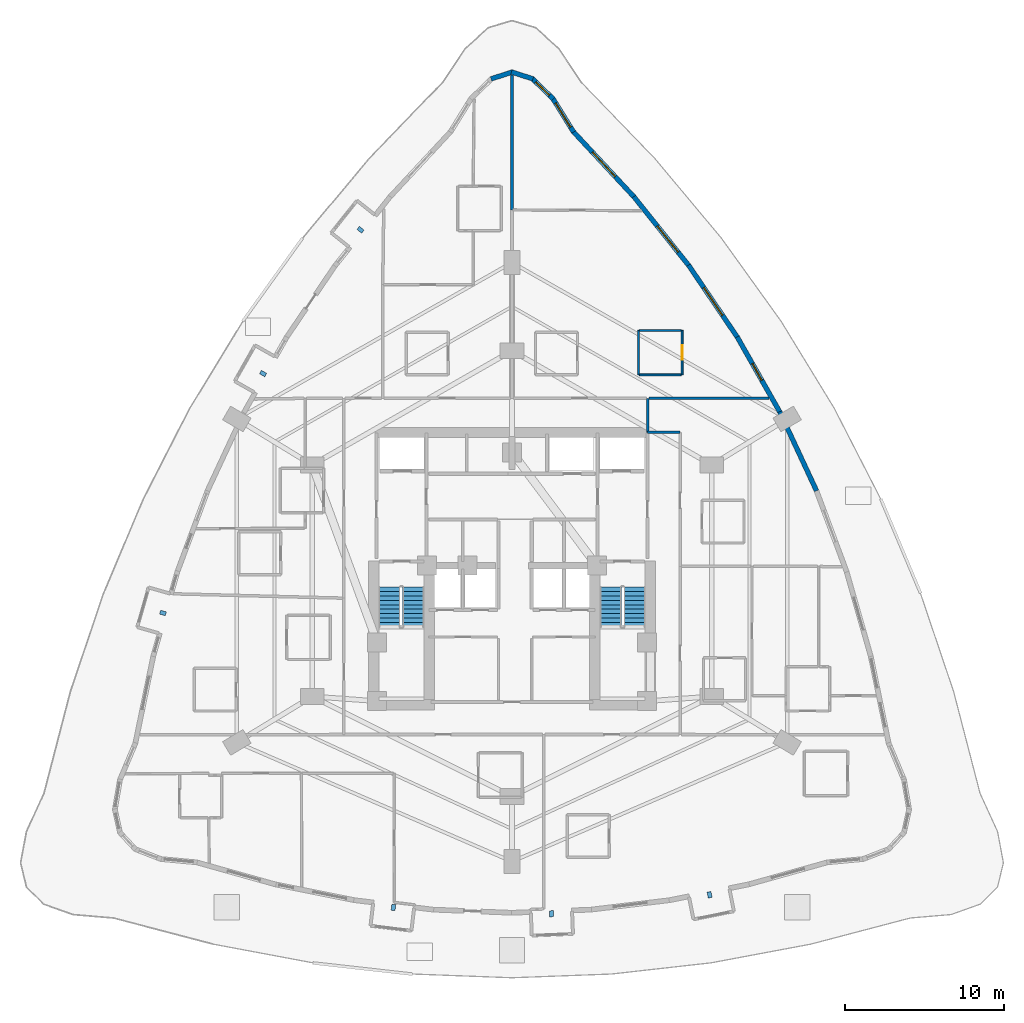
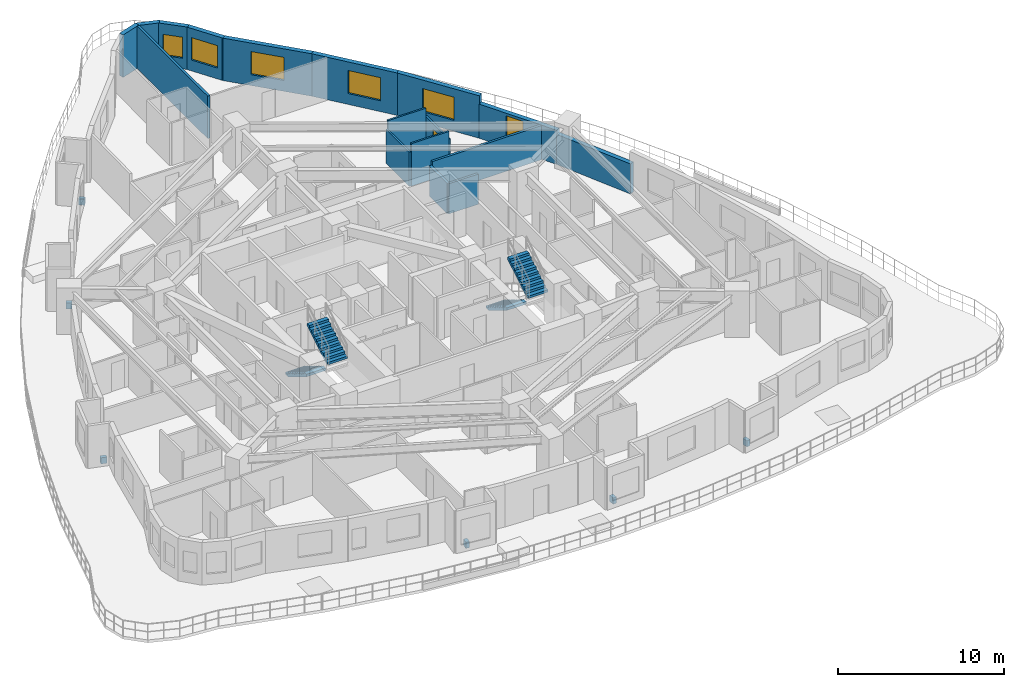
# One storey, part 14 of 17: 17 walls, 6 discrete accessories, 6 windows, 4 stair flights, 1 door, 7 openings, 2 elements without a shape of their own.
"""IFC4 building model written with IfcOpenShell, lengths in metres."""

from ifc_helpers import new_model, si_unit, direction, frame, frame_2d, origin, origin_2d, place, context, subcontext, project, spatial, polyline, rectangle, outline, extrude, material, layer, layer_set, type_object, element, fill, aggregate, save


model = new_model("IFC4")

# Units and contexts
model_context = context("Model", 3, precision=1e-05, world=origin(), true_north=direction((0.0, 1.0)))
body_context = subcontext(model_context, "Body", "Model", "MODEL_VIEW")
ifc_project = project(units=[si_unit("LENGTHUNIT", "METRE"), si_unit("AREAUNIT", "SQUARE_METRE"), si_unit("VOLUMEUNIT", "CUBIC_METRE"), si_unit("PLANEANGLEUNIT", "RADIAN"), si_unit("MASSUNIT", "GRAM", prefix="KILO")], contexts=[model_context])

# Site, building, storey
site_placement = place(None, origin())
site = spatial("IfcSite", under=ifc_project, at=site_placement, CompositionType="ELEMENT")
building_placement = place(site_placement, origin())
building = spatial("IfcBuilding", under=site, at=building_placement, Name="Miruveldt Soraemaru", CompositionType="ELEMENT")
storey_placement = place(building_placement, frame((0.0, 0.0, 29.199951171875)))
storey = spatial("IfcBuildingStorey", under=building, at=storey_placement, Name="L07", CompositionType="ELEMENT", Elevation=29.199951171875)

# Wall, opening, window
ifc_material_1 = material(Name="Precast concrete C45/55 (45 MPa)", Category="concrete")
ifc_layer_1 = layer(ifc_material_1, 0.300048828125, Name="Precast concrete C45/55 (45 MPa)", Category="concrete")
ifc_layer_set_1 = layer_set([ifc_layer_1], Name="Precast concrete C45/55 (45 MPa)")
wall_type_1 = type_object("IfcWallType", Name="WALL-EXT-PC300", PredefinedType="SOLIDWALL", material=ifc_layer_set_1)
wall_1_placement = place(storey_placement, frame((47.8857421875, 71.392578125, 0.0), z_axis=(0.0, 0.0, 1.0), x_axis=(-0.526057803578, 0.850448815212, 0.0)))
wall_1 = element("IfcWall", 1, at=wall_1_placement, inside=storey, type_object=wall_type_1, Name="L07 Precast Concrete Facade Wall 1", PredefinedType="SOLIDWALL", context=body_context, shape_type="SweptSolid", body=[
    extrude(rectangle(XDim=2.5205078125, YDim=0.300048828125, at=frame_2d((1.26025390625, 0.0))), origin(), (0.0, 0.0, 1.0), 3.125),
])
opening_1_placement = place(wall_1_placement, frame((0.360107421875, 0.0, 0.800048828125)))
opening_1 = element("IfcOpeningElement", 2, at=opening_1_placement, cuts=wall_1, Name="Opening WN-2", PredefinedType="OPENING", context=body_context, shape_type="SweptSolid", body=[
    extrude(rectangle(XDim=1.800048828125, YDim=1.64990234375, at=frame_2d((0.89990234375, 0.824951171875))), frame((0.0, 0.16015625, 0.0), z_axis=(0.0, -1.0, 0.0), x_axis=(1.0, 0.0, 0.0)), (0.0, 0.0, 1.0), 0.320068359375),
])
ifc_material_2 = material(Name="Triple low-e insulated glazing", Category="glass")
window_type_1 = type_object("IfcWindowType", Name="WIN-PUNCH-1800x1650", PartitioningType="SINGLE_PANEL", PredefinedType="WINDOW", material=ifc_material_2)
window_1_placement = place(opening_1_placement, origin())
window_1 = element("IfcWindow", 3, at=window_1_placement, inside=storey, type_object=window_type_1, Name="L07 Punched Triple-Glazed Window 01.1", OverallHeight=1.64990234375, OverallWidth=1.800048828125, PartitioningType="SINGLE_PANEL", PredefinedType="WINDOW", context=body_context, shape_type="SweptSolid", body=[
    extrude(rectangle(XDim=1.800048828125, YDim=1.64990234375, at=frame_2d((0.89990234375, 0.824951171875))), frame((0.0, 0.030029296875, 0.0), z_axis=(0.0, -1.0, 0.0), x_axis=(1.0, 0.0, 0.0)), (0.0, 0.0, 1.0), 0.06005859375),
])
fill(opening_1, window_1)

wall_2_placement = place(storey_placement, frame((46.603271484375, 73.48193359375, 0.0), z_axis=(0.0, 0.0, 1.0), x_axis=(-0.717753754605, 0.696297025521, 0.0)))
wall_2 = element("IfcWall", 4, at=wall_2_placement, inside=storey, type_object=wall_type_1, Name="L07 Precast Concrete Facade Wall 2", PredefinedType="SOLIDWALL", context=body_context, shape_type="SweptSolid", body=[
    extrude(rectangle(XDim=1.865966796875, YDim=0.300048828125, at=frame_2d((0.93310546875, 0.0))), origin(), (0.0, 0.0, 1.0), 3.125),
])
opening_2_placement = place(wall_2_placement, frame((0.3330078125, 0.0, 0.780029296875)))
opening_2 = element("IfcOpeningElement", 5, at=opening_2_placement, cuts=wall_2, Name="Opening WN-4", PredefinedType="OPENING", context=body_context, shape_type="SweptSolid", body=[
    extrude(rectangle(XDim=1.199951171875, YDim=1.550048828125, at=frame_2d((0.60009765625, 0.77490234375))), frame((0.0, 0.16015625, 0.0), z_axis=(0.0, -1.0, 0.0), x_axis=(1.0, 0.0, 0.0)), (0.0, 0.0, 1.0), 0.320068359375),
])
window_type_2 = type_object("IfcWindowType", Name="WIN-PUNCH-1200x1550", PartitioningType="SINGLE_PANEL", PredefinedType="WINDOW", material=ifc_material_2)
window_2_placement = place(opening_2_placement, origin())
window_2 = element("IfcWindow", 6, at=window_2_placement, inside=storey, type_object=window_type_2, Name="L07 Punched Triple-Glazed Window 02.1", OverallHeight=1.550048828125, OverallWidth=1.199951171875, PartitioningType="SINGLE_PANEL", PredefinedType="WINDOW", context=body_context, shape_type="SweptSolid", body=[
    extrude(rectangle(XDim=1.199951171875, YDim=1.550048828125, at=frame_2d((0.60009765625, 0.77490234375))), frame((0.0, 0.030029296875, 0.0), z_axis=(0.0, -1.0, 0.0), x_axis=(1.0, 0.0, 0.0)), (0.0, 0.0, 1.0), 0.06005859375),
])
fill(opening_2, window_2)

# Walls
for number, where, z_axis, x_axis, name in (
    (7, (45.322509765625, 74.74609375, 0.0), (0.0, 0.0, 1.0), (-0.951522717075, 0.307578475986, 0.0), "L07 Precast Concrete Facade Wall 3"),
    (8, (44.033203125, 75.184326171875, 0.0), (0.0, 0.0, 1.0), (-0.951522717075, -0.307578475986, 0.0), "L07 Precast Concrete Facade Wall 4"),
):
    element("IfcWall", number, at=place(storey_placement, frame(where, z_axis=z_axis, x_axis=x_axis)), inside=storey, type_object=wall_type_1, Name=name, PredefinedType="SOLIDWALL", context=body_context, shape_type="SweptSolid", body=[
        extrude(rectangle(XDim=1.4248046875, YDim=0.300048828125, at=frame_2d((0.71240234375, 0.0))), origin(), (0.0, 0.0, 1.0), 3.125),
    ])
wall_3_placement = place(storey_placement, frame((63.206298828125, 48.768310546875, 0.0), z_axis=(0.0, 0.0, 1.0), x_axis=(-0.422309467153, 0.906451716284, 0.0)))
element("IfcWall", 9, at=wall_3_placement, inside=storey, type_object=wall_type_1, Name="L07 Precast Concrete Facade Wall 38", PredefinedType="SOLIDWALL", context=body_context, shape_type="SweptSolid", body=[
    extrude(rectangle(XDim=5.500244140625, YDim=0.300048828125, at=frame_2d((2.75, 0.0))), origin(), (0.0, 0.0, 1.0), 2.213134765625),
])

# Wall, opening, window
wall_4_placement = place(storey_placement, frame((60.915771484375, 53.69189453125, 0.0), z_axis=(0.0, 0.0, 1.0), x_axis=(-0.493368677129, 0.869820296629, 0.0)))
wall_4 = element("IfcWall", 10, at=wall_4_placement, inside=storey, type_object=wall_type_1, Name="L07 Precast Concrete Facade Wall 39", PredefinedType="SOLIDWALL", context=body_context, shape_type="SweptSolid", body=[
    extrude(rectangle(XDim=5.500244140625, YDim=0.300048828125, at=frame_2d((2.75, 0.0))), origin(), (0.0, 0.0, 1.0), 2.512939453125),
])
opening_3_placement = place(wall_4_placement, frame((2.35595703125, 0.0, 0.780029296875)))
opening_3 = element("IfcOpeningElement", 11, at=opening_3_placement, cuts=wall_4, Name="Opening WN-4", PredefinedType="OPENING", context=body_context, shape_type="SweptSolid", body=[
    extrude(rectangle(XDim=1.199951171875, YDim=1.550048828125, at=frame_2d((0.60009765625, 0.77490234375))), frame((0.0, 0.16015625, 0.0), z_axis=(0.0, -1.0, 0.0), x_axis=(1.0, 0.0, 0.0)), (0.0, 0.0, 1.0), 0.320068359375),
])
window_3_placement = place(opening_3_placement, origin())
window_3 = element("IfcWindow", 12, at=window_3_placement, inside=storey, type_object=window_type_2, Name="L07 Punched Triple-Glazed Window 39.1", OverallHeight=1.550048828125, OverallWidth=1.199951171875, PartitioningType="SINGLE_PANEL", PredefinedType="WINDOW", context=body_context, shape_type="SweptSolid", body=[
    extrude(rectangle(XDim=1.199951171875, YDim=1.550048828125, at=frame_2d((0.60009765625, 0.77490234375))), frame((0.0, 0.030029296875, 0.0), z_axis=(0.0, -1.0, 0.0), x_axis=(1.0, 0.0, 0.0)), (0.0, 0.0, 1.0), 0.06005859375),
])
fill(opening_3, window_3)

wall_5_placement = place(storey_placement, frame((58.239013671875, 58.416748046875, 0.0), z_axis=(0.0, 0.0, 1.0), x_axis=(-0.560813032948, 0.827942475101, 0.0)))
wall_5 = element("IfcWall", 13, at=wall_5_placement, inside=storey, type_object=wall_type_1, Name="L07 Precast Concrete Facade Wall 40", PredefinedType="SOLIDWALL", context=body_context, shape_type="SweptSolid", body=[
    extrude(rectangle(XDim=5.534912109375, YDim=0.300048828125, at=frame_2d((2.767578125, 0.0))), origin(), (0.0, 0.0, 1.0), 3.125),
])
opening_4_placement = place(wall_5_placement, frame((1.718017578125, 0.0, 0.800048828125)))
opening_4 = element("IfcOpeningElement", 14, at=opening_4_placement, cuts=wall_5, Name="Opening WN-1", PredefinedType="OPENING", context=body_context, shape_type="SweptSolid", body=[
    extrude(rectangle(XDim=2.10009765625, YDim=1.699951171875, at=frame_2d((1.050048828125, 0.85009765625))), frame((0.0, 0.16015625, 0.0), z_axis=(0.0, -1.0, 0.0), x_axis=(1.0, 0.0, 0.0)), (0.0, 0.0, 1.0), 0.320068359375),
])
window_type_3 = type_object("IfcWindowType", Name="WIN-PUNCH-2100x1700", PartitioningType="SINGLE_PANEL", PredefinedType="WINDOW", material=ifc_material_2)
window_4_placement = place(opening_4_placement, origin())
window_4 = element("IfcWindow", 15, at=window_4_placement, inside=storey, type_object=window_type_3, Name="L07 Punched Triple-Glazed Window 40.1", OverallHeight=1.699951171875, OverallWidth=2.10009765625, PartitioningType="SINGLE_PANEL", PredefinedType="WINDOW", context=body_context, shape_type="SweptSolid", body=[
    extrude(rectangle(XDim=2.10009765625, YDim=1.699951171875, at=frame_2d((1.050048828125, 0.85009765625))), frame((0.0, 0.030029296875, 0.0), z_axis=(0.0, -1.0, 0.0), x_axis=(1.0, 0.0, 0.0)), (0.0, 0.0, 1.0), 0.06005859375),
])
fill(opening_4, window_4)

wall_6_placement = place(storey_placement, frame((55.17626953125, 62.94287109375, 0.0), z_axis=(0.0, 0.0, 1.0), x_axis=(-0.623615831151, 0.781730960841, 0.0)))
wall_6 = element("IfcWall", 16, at=wall_6_placement, inside=storey, type_object=wall_type_1, Name="L07 Precast Concrete Facade Wall 41", PredefinedType="SOLIDWALL", context=body_context, shape_type="SweptSolid", body=[
    extrude(rectangle(XDim=5.603515625, YDim=0.300048828125, at=frame_2d((2.8017578125, 0.0))), origin(), (0.0, 0.0, 1.0), 3.125),
])
opening_5_placement = place(wall_6_placement, frame((1.126953125, 0.0, 0.800048828125)))
opening_5 = element("IfcOpeningElement", 17, at=opening_5_placement, cuts=wall_6, Name="Opening WN-1", PredefinedType="OPENING", context=body_context, shape_type="SweptSolid", body=[
    extrude(rectangle(XDim=2.10009765625, YDim=1.699951171875, at=frame_2d((1.050048828125, 0.85009765625))), frame((0.0, 0.16015625, 0.0), z_axis=(0.0, -1.0, 0.0), x_axis=(1.0, 0.0, 0.0)), (0.0, 0.0, 1.0), 0.320068359375),
])
window_5_placement = place(opening_5_placement, origin())
window_5 = element("IfcWindow", 18, at=window_5_placement, inside=storey, type_object=window_type_3, Name="L07 Punched Triple-Glazed Window 41.1", OverallHeight=1.699951171875, OverallWidth=2.10009765625, PartitioningType="SINGLE_PANEL", PredefinedType="WINDOW", context=body_context, shape_type="SweptSolid", body=[
    extrude(rectangle(XDim=2.10009765625, YDim=1.699951171875, at=frame_2d((1.050048828125, 0.85009765625))), frame((0.0, 0.030029296875, 0.0), z_axis=(0.0, -1.0, 0.0), x_axis=(1.0, 0.0, 0.0)), (0.0, 0.0, 1.0), 0.06005859375),
])
fill(opening_5, window_5)

wall_7_placement = place(storey_placement, frame((51.7275390625, 67.270263671875, 0.0), z_axis=(0.0, 0.0, 1.0), x_axis=(-0.680894211577, 0.732381780659, 0.0)))
wall_7 = element("IfcWall", 19, at=wall_7_placement, inside=storey, type_object=wall_type_1, Name="L07 Precast Concrete Facade Wall 42", PredefinedType="SOLIDWALL", context=body_context, shape_type="SweptSolid", body=[
    extrude(rectangle(XDim=5.704345703125, YDim=0.300048828125, at=frame_2d((2.85205078125, 0.0))), origin(), (0.0, 0.0, 1.0), 3.125),
])
opening_6_placement = place(wall_7_placement, frame((1.802001953125, 0.0, 0.800048828125)))
opening_6 = element("IfcOpeningElement", 20, at=opening_6_placement, cuts=wall_7, Name="Opening WN-1", PredefinedType="OPENING", context=body_context, shape_type="SweptSolid", body=[
    extrude(rectangle(XDim=2.10009765625, YDim=1.699951171875, at=frame_2d((1.050048828125, 0.85009765625))), frame((0.0, 0.16015625, 0.0), z_axis=(0.0, -1.0, 0.0), x_axis=(1.0, 0.0, 0.0)), (0.0, 0.0, 1.0), 0.320068359375),
])
window_6_placement = place(opening_6_placement, origin())
window_6 = element("IfcWindow", 21, at=window_6_placement, inside=storey, type_object=window_type_3, Name="L07 Punched Triple-Glazed Window 42.1", OverallHeight=1.699951171875, OverallWidth=2.10009765625, PartitioningType="SINGLE_PANEL", PredefinedType="WINDOW", context=body_context, shape_type="SweptSolid", body=[
    extrude(rectangle(XDim=2.10009765625, YDim=1.699951171875, at=frame_2d((1.050048828125, 0.85009765625))), frame((0.0, 0.030029296875, 0.0), z_axis=(0.0, -1.0, 0.0), x_axis=(1.0, 0.0, 0.0)), (0.0, 0.0, 1.0), 0.06005859375),
])
fill(opening_6, window_6)

# Wall, opening, door
ifc_material_3 = material(Name="Gypsum plasterboard lining", Category="gypsum")
ifc_layer_2 = layer(ifc_material_3, 0.1201171875, Name="Gypsum plasterboard lining", Category="gypsum")
ifc_layer_set_2 = layer_set([ifc_layer_2], Name="Gypsum plasterboard lining")
wall_type_2 = type_object("IfcWallType", Name="WALL-INT-P120", PredefinedType="PARTITIONING", material=ifc_layer_set_2)
wall_8_placement = place(storey_placement, frame((54.72998046875, 56.080078125, 0.0), z_axis=(0.0, 0.0, 1.0), x_axis=(0.0, 1.0, 0.0)))
wall_8 = element("IfcWall", 22, at=wall_8_placement, inside=storey, type_object=wall_type_2, Name="L07 Partition Wall 35", PredefinedType="PARTITIONING", context=body_context, shape_type="SweptSolid", body=[
    extrude(rectangle(XDim=2.7998046875, YDim=0.1201171875, at=frame_2d((1.39990234375, 0.0))), origin(), (0.0, 0.0, 1.0), 2.512939453125),
])
opening_7_placement = place(wall_8_placement, frame((0.93994140625, 0.0, 0.0)))
opening_7 = element("IfcOpeningElement", 23, at=opening_7_placement, cuts=wall_8, Name="Opening D3A", PredefinedType="OPENING", context=body_context, shape_type="SweptSolid", body=[
    extrude(rectangle(XDim=0.919921875, YDim=2.10009765625, at=frame_2d((0.4599609375, 1.050048828125))), frame((0.0, 0.070068359375, 0.0), z_axis=(0.0, -1.0, 0.0), x_axis=(1.0, 0.0, 0.0)), (0.0, 0.0, 1.0), 0.14013671875),
])
ifc_material_4 = material(Name="Anodised aluminium EN AW-6063 T6", Category="aluminium")
door_type = type_object("IfcDoorType", Name="DOOR-INT-920", OperationType="NOTDEFINED", PredefinedType="DOOR", material=ifc_material_4)
door_placement = place(opening_7_placement, origin())
door = element("IfcDoor", 24, at=door_placement, inside=storey, type_object=door_type, Name="L07 Unit CL03 KIT Door", OperationType="SINGLE_SWING_RIGHT", OverallHeight=2.10009765625, OverallWidth=0.919921875, PredefinedType="DOOR", context=body_context, shape_type="SweptSolid", body=[
    extrude(rectangle(XDim=0.919921875, YDim=2.10009765625, at=frame_2d((0.4599609375, 1.050048828125))), frame((0.0, 0.02490234375, 0.0), z_axis=(0.0, -1.0, 0.0), x_axis=(1.0, 0.0, 0.0)), (0.0, 0.0, 1.0), 0.050048828125),
])
fill(opening_7, door)

# Walls
wall_9_placement = place(storey_placement, frame((51.97998046875, 58.8798828125, 0.0), z_axis=(0.0, 0.0, 1.0), x_axis=(0.0, -1.0, 0.0)))
element("IfcWall", 25, at=wall_9_placement, inside=storey, type_object=wall_type_2, Name="L07 Partition Wall 37", PredefinedType="PARTITIONING", context=body_context, shape_type="SweptSolid", body=[
    extrude(rectangle(XDim=2.7998046875, YDim=0.1201171875, at=frame_2d((1.39990234375, 0.0))), origin(), (0.0, 0.0, 1.0), 2.512939453125),
])
for number, where, z_axis, x_axis, name in (
    (26, (54.669921875, 58.8798828125, 0.0), (0.0, 0.0, 1.0), (-1.0, 0.0, 0.0), "L07 Partition Wall 36"),
    (27, (52.0400390625, 56.080078125, 0.0), (0.0, 0.0, 1.0), (1.0, 0.0, 0.0), "L07 Partition Wall 38"),
):
    element("IfcWall", number, at=place(storey_placement, frame(where, z_axis=z_axis, x_axis=x_axis)), inside=storey, type_object=wall_type_2, Name=name, PredefinedType="PARTITIONING", context=body_context, shape_type="SweptSolid", body=[
        extrude(rectangle(XDim=2.6298828125, YDim=0.1201171875, at=frame_2d((1.31494140625, 0.0))), origin(), (0.0, 0.0, 1.0), 3.125),
    ])
ifc_material_5 = material(Name="Concrete C40/50 (40 MPa)", Category="concrete")
ifc_layer_3 = layer(ifc_material_5, 0.159912109375, Name="Concrete C40/50 (40 MPa)", Category="concrete")
ifc_layer_set_3 = layer_set([ifc_layer_3], Name="Concrete C40/50 (40 MPa)")
wall_type_3 = type_object("IfcWallType", Name="WALL-INT-RC160", PredefinedType="SOLIDWALL", material=ifc_layer_set_3)
wall_10_placement = place(storey_placement, frame((44.0, 66.48388671875, 0.0), z_axis=(0.0, 0.0, 1.0), x_axis=(0.0, 1.0, 0.0)))
element("IfcWall", 28, at=wall_10_placement, inside=storey, type_object=wall_type_3, Name="L07 Partition Wall 27", PredefinedType="SOLIDWALL", context=body_context, shape_type="SweptSolid", body=[
    extrude(rectangle(XDim=8.51611328125, YDim=0.159912109375, at=frame_2d((4.258056640625, 0.0))), origin(), (0.0, 0.0, 1.0), 3.125),
])
wall_11_placement = place(storey_placement, frame((52.633056640625, 54.60009765625, 0.0), z_axis=(0.0, 0.0, 1.0), x_axis=(0.999999867499, -0.000514783883, 0.0)))
element("IfcWall", 29, at=wall_11_placement, inside=storey, type_object=wall_type_3, Name="L07 Partition Wall 40", PredefinedType="SOLIDWALL", context=body_context, shape_type="SweptSolid", body=[
    extrude(rectangle(XDim=7.588134765625, YDim=0.159912109375, at=frame_2d((3.7939453125, 0.0))), origin(), (0.0, 0.0, 1.0), 2.512939453125),
])
wall_12_placement = place(storey_placement, frame((52.550048828125, 52.449951171875, 0.0), z_axis=(0.0, 0.0, 1.0), x_axis=(0.0, 1.0, 0.0)))
element("IfcWall", 30, at=wall_12_placement, inside=storey, type_object=wall_type_3, Name="L07 Partition Wall 8", PredefinedType="SOLIDWALL", context=body_context, shape_type="SweptSolid", body=[
    extrude(rectangle(XDim=2.14697265625, YDim=0.159912109375, at=frame_2d((1.073486328125, 0.0))), origin(), (0.0, 0.0, 1.0), 2.219970703125),
])
wall_13_placement = place(storey_placement, frame((54.60009765625, 52.449951171875, 0.0), z_axis=(0.0, 0.0, 1.0), x_axis=(-1.0, 0.0, 0.0)))
element("IfcWall", 31, at=wall_13_placement, inside=storey, type_object=wall_type_3, Name="L07 Partition Wall 7", PredefinedType="SOLIDWALL", context=body_context, shape_type="SweptSolid", body=[
    extrude(rectangle(XDim=2.050048828125, YDim=0.159912109375, at=frame_2d((1.02490234375, 0.0))), origin(), (0.0, 0.0, 1.0), 2.219970703125),
])

# Stair, stair flights
stair_type = type_object("IfcStairType", Name="STAIR-DL-340", PredefinedType="HALF_TURN_STAIR", material=ifc_material_5)
stair_1_placement = place(storey_placement, origin())
stair_1 = element("IfcStair", 32, at=stair_1_placement, inside=storey, type_object=stair_type, Name="L07 Protected Exit Stair ST-1", PredefinedType="HALF_TURN_STAIR")
stair_flight_type = type_object("IfcStairFlightType", Name="SFL-DL-340", PredefinedType="STRAIGHT", material=ifc_material_5)
stair_flight_1_placement = place(storey_placement, frame((36.27490234375, 42.699951171875, 0.0), z_axis=(0.0, 0.0, 1.0), x_axis=(0.0, -1.0, 0.0)))
stair_flight_1 = element("IfcStairFlight", 33, at=stair_flight_1_placement, type_object=stair_flight_type, Name="ST-1 flight 1", NumberOfRisers=10, NumberOfTreads=9, PredefinedType="STRAIGHT", RiserHeight=0.17, TreadLength=0.28, context=body_context, shape_type="SweptSolid", body=[
    extrude(outline(polyline([(0.0, 0.0), (0.0, 0.169921875), (0.280029296875, 0.169921875), (0.280029296875, 0.340087890625), (0.56005859375, 0.340087890625), (0.56005859375, 0.510009765625), (0.840087890625, 0.510009765625), (0.840087890625, 0.679931640625), (1.1201171875, 0.679931640625), (1.1201171875, 0.85009765625), (1.39990234375, 0.85009765625), (1.39990234375, 1.02001953125), (1.679931640625, 1.02001953125), (1.679931640625, 1.18994140625), (1.9599609375, 1.18994140625), (1.9599609375, 1.360107421875), (2.239990234375, 1.360107421875), (2.239990234375, 1.530029296875), (2.52001953125, 1.530029296875), (2.52001953125, 1.699951171875), (2.52001953125, 1.343017578125), (0.30810546875, 0.0), (0.0, 0.0)])), frame((0.0, 0.675048828125, 0.0), z_axis=(0.0, -1.0, 0.0), x_axis=(1.0, 0.0, 0.0)), (0.0, 0.0, 1.0), 1.35009765625),
])
stair_flight_2_placement = place(storey_placement, frame((37.77490234375, 40.179931640625, 1.699951171875), z_axis=(0.0, 0.0, 1.0), x_axis=(0.0, 1.0, 0.0)))
stair_flight_2 = element("IfcStairFlight", 34, at=stair_flight_2_placement, type_object=stair_flight_type, Name="ST-1 flight 2", NumberOfRisers=10, NumberOfTreads=9, PredefinedType="STRAIGHT", RiserHeight=0.17, TreadLength=0.28, context=body_context, shape_type="SweptSolid", body=[
    extrude(outline(polyline([(0.0, 0.0), (0.0, 0.169921875), (0.280029296875, 0.169921875), (0.280029296875, 0.340087890625), (0.56005859375, 0.340087890625), (0.56005859375, 0.510009765625), (0.840087890625, 0.510009765625), (0.840087890625, 0.679931640625), (1.1201171875, 0.679931640625), (1.1201171875, 0.85009765625), (1.39990234375, 0.85009765625), (1.39990234375, 1.02001953125), (1.679931640625, 1.02001953125), (1.679931640625, 1.18994140625), (1.9599609375, 1.18994140625), (1.9599609375, 1.360107421875), (2.239990234375, 1.360107421875), (2.239990234375, 1.530029296875), (2.52001953125, 1.530029296875), (2.52001953125, 1.699951171875), (2.52001953125, 1.343017578125), (0.30810546875, 0.0), (0.0, 0.0)])), frame((0.0, 0.675048828125, 0.0), z_axis=(0.0, -1.0, 0.0), x_axis=(1.0, 0.0, 0.0)), (0.0, 0.0, 1.0), 1.35009765625),
])
aggregate(stair_1, [stair_flight_1, stair_flight_2])

stair_2_placement = place(storey_placement, origin())
stair_2 = element("IfcStair", 35, at=stair_2_placement, inside=storey, type_object=stair_type, Name="L07 Protected Exit Stair ST-2", PredefinedType="HALF_TURN_STAIR")
stair_flight_3_placement = place(storey_placement, frame((50.22509765625, 42.699951171875, 0.0), z_axis=(0.0, 0.0, 1.0), x_axis=(0.0, -1.0, 0.0)))
stair_flight_3 = element("IfcStairFlight", 36, at=stair_flight_3_placement, type_object=stair_flight_type, Name="ST-2 flight 1", NumberOfRisers=10, NumberOfTreads=9, PredefinedType="STRAIGHT", RiserHeight=0.17, TreadLength=0.28, context=body_context, shape_type="SweptSolid", body=[
    extrude(outline(polyline([(0.0, 0.0), (0.0, 0.169921875), (0.280029296875, 0.169921875), (0.280029296875, 0.340087890625), (0.56005859375, 0.340087890625), (0.56005859375, 0.510009765625), (0.840087890625, 0.510009765625), (0.840087890625, 0.679931640625), (1.1201171875, 0.679931640625), (1.1201171875, 0.85009765625), (1.39990234375, 0.85009765625), (1.39990234375, 1.02001953125), (1.679931640625, 1.02001953125), (1.679931640625, 1.18994140625), (1.9599609375, 1.18994140625), (1.9599609375, 1.360107421875), (2.239990234375, 1.360107421875), (2.239990234375, 1.530029296875), (2.52001953125, 1.530029296875), (2.52001953125, 1.699951171875), (2.52001953125, 1.343017578125), (0.30810546875, 0.0), (0.0, 0.0)])), frame((0.0, 0.675048828125, 0.0), z_axis=(0.0, -1.0, 0.0), x_axis=(1.0, 0.0, 0.0)), (0.0, 0.0, 1.0), 1.35009765625),
])
stair_flight_4_placement = place(storey_placement, frame((51.72509765625, 40.179931640625, 1.699951171875), z_axis=(0.0, 0.0, 1.0), x_axis=(0.0, 1.0, 0.0)))
stair_flight_4 = element("IfcStairFlight", 37, at=stair_flight_4_placement, type_object=stair_flight_type, Name="ST-2 flight 2", NumberOfRisers=10, NumberOfTreads=9, PredefinedType="STRAIGHT", RiserHeight=0.17, TreadLength=0.28, context=body_context, shape_type="SweptSolid", body=[
    extrude(outline(polyline([(0.0, 0.0), (0.0, 0.169921875), (0.280029296875, 0.169921875), (0.280029296875, 0.340087890625), (0.56005859375, 0.340087890625), (0.56005859375, 0.510009765625), (0.840087890625, 0.510009765625), (0.840087890625, 0.679931640625), (1.1201171875, 0.679931640625), (1.1201171875, 0.85009765625), (1.39990234375, 0.85009765625), (1.39990234375, 1.02001953125), (1.679931640625, 1.02001953125), (1.679931640625, 1.18994140625), (1.9599609375, 1.18994140625), (1.9599609375, 1.360107421875), (2.239990234375, 1.360107421875), (2.239990234375, 1.530029296875), (2.52001953125, 1.530029296875), (2.52001953125, 1.699951171875), (2.52001953125, 1.343017578125), (0.30810546875, 0.0), (0.0, 0.0)])), frame((0.0, 0.675048828125, 0.0), z_axis=(0.0, -1.0, 0.0), x_axis=(1.0, 0.0, 0.0)), (0.0, 0.0, 1.0), 1.35009765625),
])
aggregate(stair_2, [stair_flight_3, stair_flight_4])

# Discrete accessories
ifc_material_6 = material(Name="Steel SM355 (355 MPa)", Category="steel")
discrete_accessory_type = type_object("IfcDiscreteAccessoryType", Name="ACC-BAY-BRK", PredefinedType="BRACKET", material=ifc_material_6)
for number, where, z_axis, x_axis, name in (
    (38, (34.44580078125, 65.23291015625, -0.7197265625), (0.0, 0.0, 1.0), (-0.781727315753, 0.623620400408, 0.0), "L07 Bay Window Cantilever Bracket 1"),
    (39, (28.302001953125, 56.162841796875, -0.7197265625), (0.0, 0.0, 1.0), (-0.869830943614, 0.493349905778, 0.0), "L07 Bay Window Cantilever Bracket 2"),
    (40, (21.986328125, 41.062744140625, -0.7197265625), (0.0, 0.0, 1.0), (-0.961449093633, 0.274982981932, 0.0), "L07 Bay Window Cantilever Bracket 3"),
    (41, (36.5224609375, 22.493896484375, -0.7197265625), (0.0, 0.0, 1.0), (-0.119149147143, -0.992876367296, 0.0), "L07 Bay Window Cantilever Bracket 4"),
    (42, (46.492431640625, 22.094970703125, -0.7197265625), (0.0, 0.0, 1.0), (0.03997483895, -0.999200686675, 0.0), "L07 Bay Window Cantilever Bracket 5"),
    (43, (56.4619140625, 23.291259765625, -0.7197265625), (0.0, 0.0, 1.0), (0.196100176415, -0.980583867301, 0.0), "L07 Bay Window Cantilever Bracket 6"),
):
    element("IfcDiscreteAccessory", number, at=place(storey_placement, frame(where, z_axis=z_axis, x_axis=x_axis)), inside=storey, type_object=discrete_accessory_type, Name=name, PredefinedType="BRACKET", context=body_context, shape_type="SweptSolid", body=[
        extrude(rectangle(XDim=0.3798828125, YDim=0.25, at=origin_2d()), origin(), (0.0, 0.0, 1.0), 0.449951171875),
    ])

save(model, "model.ifc")
